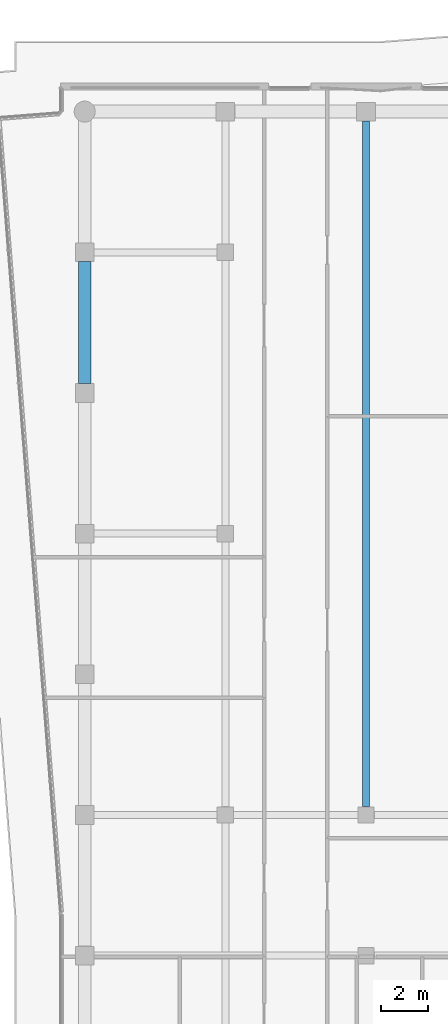
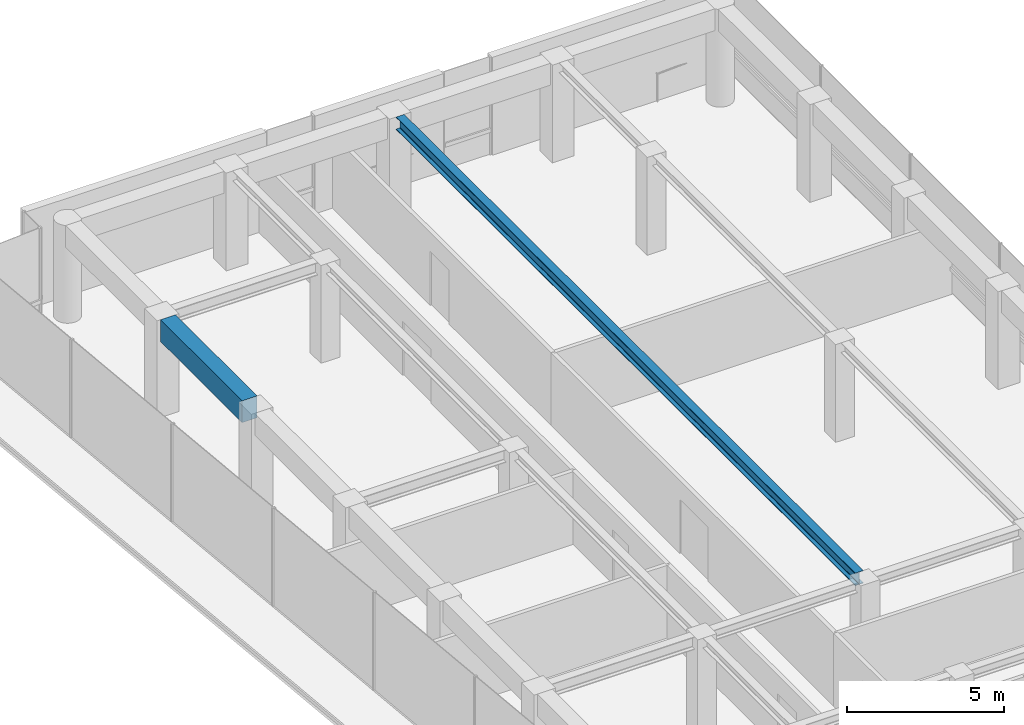
# One storey, part 12 of 23: 2 beams.
"""IFC4 building model written with IfcOpenShell, lengths in metres."""

from ifc_helpers import new_model, si_unit, direction, frame, origin, origin_2d, place, context, subcontext, project, spatial, rectangle, i_section, extrude, material, material_profile, profile_set, type_object, element, save


model = new_model("IFC4")

# Units and contexts
model_context = context("Model", 3, precision=1e-05, world=origin(), true_north=direction((0.0, 1.0)))
body_context = subcontext(model_context, "Body", "Model", "MODEL_VIEW")
ifc_project = project(units=[si_unit("LENGTHUNIT", "METRE"), si_unit("AREAUNIT", "SQUARE_METRE"), si_unit("VOLUMEUNIT", "CUBIC_METRE"), si_unit("PLANEANGLEUNIT", "RADIAN"), si_unit("MASSUNIT", "GRAM", prefix="KILO")], contexts=[model_context])

# Site, building, storey
site_placement = place(None, origin())
site = spatial("IfcSite", under=ifc_project, at=site_placement, CompositionType="ELEMENT")
building_placement = place(site_placement, origin())
building = spatial("IfcBuilding", under=site, at=building_placement, Name="Welwitschia Terrace Campus", CompositionType="ELEMENT")
storey_placement = place(building_placement, frame((0.0, 0.0, 209.60009765625)))
storey = spatial("IfcBuildingStorey", under=building, at=storey_placement, Name="L46", CompositionType="ELEMENT", Elevation=209.60009765625)

# Beams
ifc_material_1 = material(Name="Steel S355", Category="steel")
ifc_material_profile_1 = material_profile(ifc_material_1, i_section(OverallWidth=0.300048828125, OverallDepth=0.489990234375, WebThickness=0.011962890625, FlangeThickness=0.02294921875, FilletRadius=0.027099609375, at=origin_2d()))
ifc_profile_set_1 = profile_set([ifc_material_profile_1], Name="Steel S355")
beam_type_1 = type_object("IfcBeamType", Name="Primary beam HE 500 A", PredefinedType="BEAM", material=ifc_profile_set_1)
beam_1_placement = place(storey_placement, frame((12.0, 69.599609375, 3.554931640625), z_axis=(0.0, -1.0, 0.0), x_axis=(1.0, 0.0, 0.0)))
element("IfcBeam", 1, at=beam_1_placement, inside=storey, type_object=beam_type_1, Name="Primary beam PB5", PredefinedType="BEAM", context=body_context, shape_type="SweptSolid", body=[
    extrude(i_section(OverallWidth=0.300048828125, OverallDepth=0.489990234375, WebThickness=0.011962890625, FlangeThickness=0.02294921875, FilletRadius=0.027099609375, at=origin_2d()), origin(), (0.0, 0.0, 1.0), 29.2490234375),
])
ifc_material_2 = material(Name="Concrete C50/60", Category="concrete")
ifc_material_profile_2 = material_profile(ifc_material_2, rectangle(XDim=0.550048828125, YDim=0.85009765625, at=origin_2d()))
ifc_profile_set_2 = profile_set([ifc_material_profile_2], Name="Concrete C50/60")
beam_type_2 = type_object("IfcBeamType", Name="Ring spandrel 550x850", PredefinedType="SPANDREL", material=ifc_profile_set_2)
beam_2_placement = place(storey_placement, frame((0.0, 63.599609375, 3.375), z_axis=(0.0, -1.0, 0.0), x_axis=(1.0, 0.0, 0.0)))
element("IfcBeam", 2, at=beam_2_placement, inside=storey, type_object=beam_type_2, Name="Spandrel SP3", PredefinedType="SPANDREL", context=body_context, shape_type="SweptSolid", body=[
    extrude(rectangle(XDim=0.550048828125, YDim=0.85009765625, at=origin_2d()), origin(), (0.0, 0.0, 1.0), 5.19921875),
])

save(model, "model.ifc")
